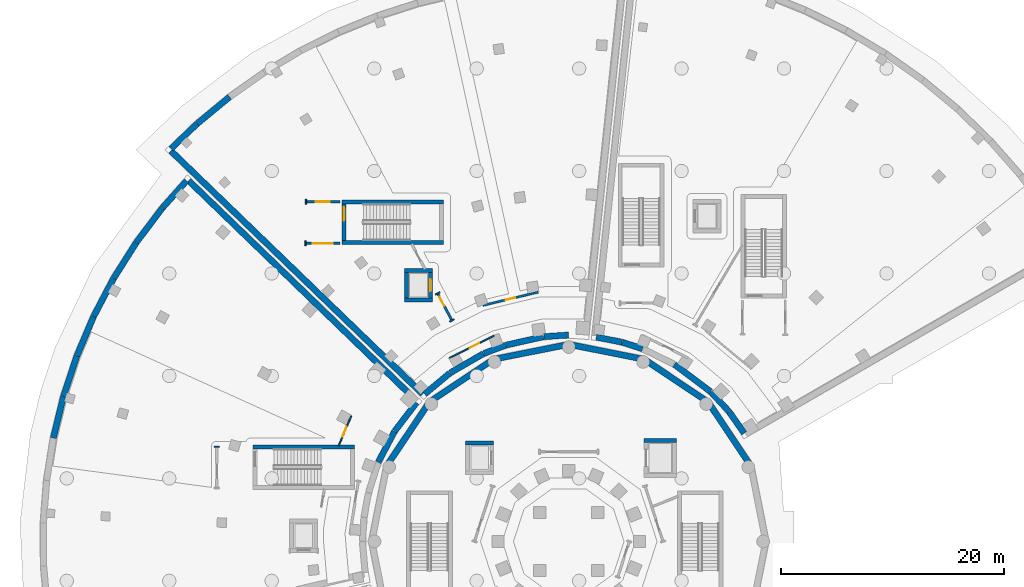
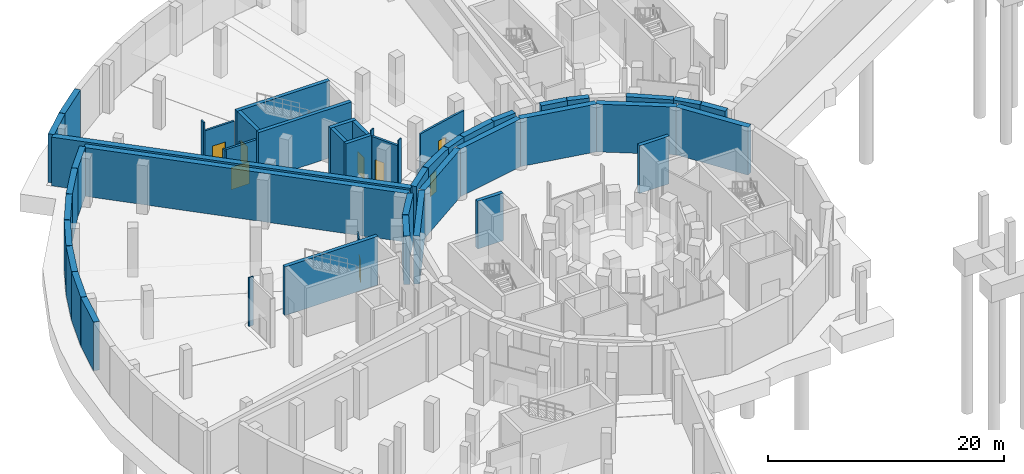
# One storey, part 13 of 33: 50 walls, 8 doors, 8 openings.
"""IFC4 building model written with IfcOpenShell, lengths in metres."""

from ifc_helpers import new_model, si_unit, direction, frame, frame_2d, origin, place, context, subcontext, project, spatial, rectangle, extrude, material, layer, layer_set, type_object, element, fill, save


model = new_model("IFC4")

# Units and contexts
model_context = context("Model", 3, precision=1e-05, world=origin(), true_north=direction((0.0, 1.0)))
body_context = subcontext(model_context, "Body", "Model", "MODEL_VIEW")
ifc_project = project(units=[si_unit("LENGTHUNIT", "METRE"), si_unit("AREAUNIT", "SQUARE_METRE"), si_unit("VOLUMEUNIT", "CUBIC_METRE"), si_unit("PLANEANGLEUNIT", "RADIAN"), si_unit("MASSUNIT", "GRAM", prefix="KILO")], contexts=[model_context])

# Site, building, storey
site_placement = place(None, origin())
site = spatial("IfcSite", under=ifc_project, at=site_placement, CompositionType="ELEMENT")
building_placement = place(site_placement, origin())
building = spatial("IfcBuilding", under=site, at=building_placement, Name="Soyqirgoq Riverine Aquarium", CompositionType="ELEMENT")
storey_placement = place(building_placement, frame((0.0, 0.0, -5.39990234375)))
storey = spatial("IfcBuildingStorey", under=building, at=storey_placement, Name="B01", CompositionType="ELEMENT", Elevation=-5.39990234375)

# Walls
ifc_material_1 = material(Name="Concrete C40/50", Category="concrete")
ifc_layer_1 = layer(ifc_material_1, 0.35009765625)
ifc_layer_set_1 = layer_set([ifc_layer_1], Name="Concrete C40/50")
wall_type_1 = type_object("IfcWallType", Name="CoreShearWall_350_C40", PredefinedType="SHEAR", material=ifc_layer_set_1)
wall_1_placement = place(storey_placement, frame((65.655029296875, 66.080078125, 0.0), z_axis=(0.0, 0.0, 1.0), x_axis=(-1.0, 0.0, 0.0)))
element("IfcWall", 1, at=wall_1_placement, inside=storey, type_object=wall_type_1, Name="Lift GL-1 Shaft Wall B01 3", PredefinedType="SHEAR", context=body_context, shape_type="SweptSolid", body=[
    extrude(rectangle(XDim=2.909912109375, YDim=0.35009765625, at=frame_2d((1.455078125, 0.0))), origin(), (0.0, 0.0, 1.0), 4.949951171875),
])
wall_2_placement = place(storey_placement, frame((49.2548828125, 65.830078125, 0.0), z_axis=(0.0, 0.0, 1.0), x_axis=(-1.0, 0.0, 0.0)))
element("IfcWall", 2, at=wall_2_placement, inside=storey, type_object=wall_type_1, Name="Lift PL-1 Shaft Wall B01 3", PredefinedType="SHEAR", context=body_context, shape_type="SweptSolid", body=[
    extrude(rectangle(XDim=2.509765625, YDim=0.35009765625, at=frame_2d((1.2548828125, 0.0))), origin(), (0.0, 0.0, 1.0), 4.949951171875),
])
for number, where, z_axis, x_axis, name in (
    (3, (36.75, 65.47509765625, 0.0), (0.0, 0.0, 1.0), (-1.0, 0.0, 0.0), "CORE-3 B01 Stair Core Shear Wall SIDE2"),
    (4, (35.64990234375, 83.824951171875, 0.0), (0.0, 0.0, 1.0), (1.0, 0.0, 0.0), "CORE-4 B01 Stair Core Shear Wall SIDE1"),
    (5, (44.75, 87.47509765625, 0.0), (0.0, 0.0, 1.0), (-1.0, 0.0, 0.0), "CORE-4 B01 Stair Core Shear Wall SIDE2"),
):
    element("IfcWall", number, at=place(storey_placement, frame(where, z_axis=z_axis, x_axis=x_axis)), inside=storey, type_object=wall_type_1, Name=name, PredefinedType="SHEAR", context=body_context, shape_type="SweptSolid", body=[
        extrude(rectangle(XDim=9.10009765625, YDim=0.35009765625, at=frame_2d((4.550048828125, 0.0))), origin(), (0.0, 0.0, 1.0), 5.0498046875),
    ])

# Wall, opening, door
wall_3_placement = place(storey_placement, frame((35.824951171875, 87.300048828125, 0.0), z_axis=(0.0, 0.0, 1.0), x_axis=(0.0, -1.0, 0.0)))
wall_3 = element("IfcWall", 6, at=wall_3_placement, inside=storey, type_object=wall_type_1, Name="CORE-4 B01 Stair Core Shear Wall FRONT", PredefinedType="SHEAR", context=body_context, shape_type="SweptSolid", body=[
    extrude(rectangle(XDim=3.300048828125, YDim=0.35009765625, at=frame_2d((1.64990234375, 0.0))), origin(), (0.0, 0.0, 1.0), 5.0498046875),
])
opening_1_placement = place(wall_3_placement, frame((0.280029296875, 0.0, 0.0)))
opening_1 = element("IfcOpeningElement", 7, at=opening_1_placement, cuts=wall_3, Name="Opening FD-01", PredefinedType="OPENING", context=body_context, shape_type="SweptSolid", body=[
    extrude(rectangle(XDim=1.25, YDim=2.199951171875, at=frame_2d((0.625, 1.10009765625))), frame((0.0, 0.18505859375, 0.0), z_axis=(0.0, -1.0, 0.0), x_axis=(1.0, 0.0, 0.0)), (0.0, 0.0, 1.0), 0.3701171875),
])
ifc_material_2 = material(Name="Galvanised steel fire-resisting stair door", Category="steel")
door_type_1 = type_object("IfcDoorType", Name="StairFireDoor_1250x2200_EI90", OperationType="NOTDEFINED", PredefinedType="DOOR", material=ifc_material_2)
door_1_placement = place(opening_1_placement, origin())
door_1 = element("IfcDoor", 8, at=door_1_placement, inside=storey, type_object=door_type_1, Name="DR-ST-4-B01 ST-4 B01 Fire-Rated Stairwell Door", OperationType="SINGLE_SWING_LEFT", OverallHeight=2.199951171875, OverallWidth=1.25, PredefinedType="DOOR", context=body_context, shape_type="SweptSolid", body=[
    extrude(rectangle(XDim=1.25, YDim=2.199951171875, at=frame_2d((0.625, 1.10009765625))), frame((0.0, 0.02490234375, 0.0), z_axis=(0.0, -1.0, 0.0), x_axis=(1.0, 0.0, 0.0)), (0.0, 0.0, 1.0), 0.050048828125),
])
fill(opening_1, door_1)

# Wall
wall_4_placement = place(storey_placement, frame((41.2451171875, 78.669921875, 0.0), z_axis=(0.0, 0.0, 1.0), x_axis=(1.0, 0.0, 0.0)))
element("IfcWall", 9, at=wall_4_placement, inside=storey, type_object=wall_type_1, Name="Lift PL-3 Shaft Wall B01 1", PredefinedType="SHEAR", context=body_context, shape_type="SweptSolid", body=[
    extrude(rectangle(XDim=2.509765625, YDim=0.35009765625, at=frame_2d((1.2548828125, 0.0))), origin(), (0.0, 0.0, 1.0), 5.0498046875),
])

# Wall, opening, door
wall_5_placement = place(storey_placement, frame((43.580078125, 78.844970703125, 0.0), z_axis=(0.0, 0.0, 1.0), x_axis=(0.0, 1.0, 0.0)))
wall_5 = element("IfcWall", 10, at=wall_5_placement, inside=storey, type_object=wall_type_1, Name="Lift PL-3 Shaft Wall B01 2", PredefinedType="SHEAR", context=body_context, shape_type="SweptSolid", body=[
    extrude(rectangle(XDim=2.31005859375, YDim=0.35009765625, at=frame_2d((1.155029296875, 0.0))), origin(), (0.0, 0.0, 1.0), 5.0498046875),
])
opening_2_placement = place(wall_5_placement, frame((0.60498046875, 0.0, 0.0)))
opening_2 = element("IfcOpeningElement", 11, at=opening_2_placement, cuts=wall_5, Name="Opening LD-01", PredefinedType="OPENING", context=body_context, shape_type="SweptSolid", body=[
    extrude(rectangle(XDim=1.10009765625, YDim=2.199951171875, at=frame_2d((0.550048828125, 1.10009765625))), frame((0.0, 0.18505859375, 0.0), z_axis=(0.0, -1.0, 0.0), x_axis=(1.0, 0.0, 0.0)), (0.0, 0.0, 1.0), 0.3701171875),
])
ifc_material_3 = material(Name="Brushed stainless steel telescopic lift landing door", Category="steel")
door_type_2 = type_object("IfcDoorType", Name="LiftLandingDoor_1100x2200", OperationType="SLIDING_TO_LEFT", PredefinedType="DOOR", material=ifc_material_3)
door_2_placement = place(opening_2_placement, origin())
door_2 = element("IfcDoor", 12, at=door_2_placement, inside=storey, type_object=door_type_2, Name="LD-PL-3-B01 Lift PL-3 B01 Sliding Landing Door", OperationType="SLIDING_TO_LEFT", OverallHeight=2.199951171875, OverallWidth=1.10009765625, PredefinedType="DOOR", context=body_context, shape_type="SweptSolid", body=[
    extrude(rectangle(XDim=1.10009765625, YDim=2.199951171875, at=frame_2d((0.550048828125, 1.10009765625))), frame((0.0, 0.02490234375, 0.0), z_axis=(0.0, -1.0, 0.0), x_axis=(1.0, 0.0, 0.0)), (0.0, 0.0, 1.0), 0.050048828125),
])
fill(opening_2, door_2)

# Walls
wall_6_placement = place(storey_placement, frame((43.7548828125, 81.330078125, 0.0), z_axis=(0.0, 0.0, 1.0), x_axis=(-1.0, 0.0, 0.0)))
element("IfcWall", 13, at=wall_6_placement, inside=storey, type_object=wall_type_1, Name="Lift PL-3 Shaft Wall B01 3", PredefinedType="SHEAR", context=body_context, shape_type="SweptSolid", body=[
    extrude(rectangle(XDim=2.509765625, YDim=0.35009765625, at=frame_2d((1.2548828125, 0.0))), origin(), (0.0, 0.0, 1.0), 5.0498046875),
])
wall_7_placement = place(storey_placement, frame((41.419921875, 81.155029296875, 0.0), z_axis=(0.0, 0.0, 1.0), x_axis=(0.0, -1.0, 0.0)))
element("IfcWall", 14, at=wall_7_placement, inside=storey, type_object=wall_type_1, Name="Lift PL-3 Shaft Wall B01 4", PredefinedType="SHEAR", context=body_context, shape_type="SweptSolid", body=[
    extrude(rectangle(XDim=2.31005859375, YDim=0.35009765625, at=frame_2d((1.155029296875, 0.0))), origin(), (0.0, 0.0, 1.0), 5.0498046875),
])

# Wall, opening, door
ifc_material_4 = material(Name="Lightweight steel-stud gypsum partition", Category="steel")
ifc_layer_2 = layer(ifc_material_4, 0.1201171875)
ifc_layer_set_2 = layer_set([ifc_layer_2], Name="Lightweight steel-stud gypsum partition")
wall_type_2 = type_object("IfcWallType", Name="PartitionWall_120_Std", PredefinedType="PARTITIONING", material=ifc_layer_set_2)
wall_8_placement = place(storey_placement, frame((36.47119140625, 68.27490234375, 0.0), z_axis=(0.0, 0.0, 1.0), x_axis=(-0.39080089657, -0.920475235539, 0.0)))
wall_8 = element("IfcWall", 15, at=wall_8_placement, inside=storey, type_object=wall_type_2, Name="V3 Gallery Circulation Corridor Partition Wall", PredefinedType="PARTITIONING", context=body_context, shape_type="SweptSolid", body=[
    extrude(rectangle(XDim=2.921875, YDim=0.1201171875, at=frame_2d((1.4609375, 0.0))), origin(), (0.0, 0.0, 1.0), 3.83984375),
])
opening_3_placement = place(wall_8_placement, frame((1.094970703125, 0.0, 0.0)))
opening_3 = element("IfcOpeningElement", 16, at=opening_3_placement, cuts=wall_8, Name="Opening ID-06", PredefinedType="OPENING", context=body_context, shape_type="SweptSolid", body=[
    extrude(rectangle(XDim=0.949951171875, YDim=2.199951171875, at=frame_2d((0.47509765625, 1.10009765625))), frame((0.0, 0.070068359375, 0.0), z_axis=(0.0, -1.0, 0.0), x_axis=(1.0, 0.0, 0.0)), (0.0, 0.0, 1.0), 0.14013671875),
])
ifc_material_5 = material(Name="Moisture-resistant HPL washroom door", Category="wood")
door_type_3 = type_object("IfcDoorType", Name="WCDoor_950x2200", OperationType="NOTDEFINED", PredefinedType="DOOR", material=ifc_material_5)
door_3_placement = place(opening_3_placement, origin())
door_3 = element("IfcDoor", 17, at=door_3_placement, inside=storey, type_object=door_type_3, Name="IDR-V3-B01-0091 Ichthyology Specimen Library Access Door", OperationType="SINGLE_SWING_LEFT", OverallHeight=2.199951171875, OverallWidth=0.949951171875, PredefinedType="DOOR", context=body_context, shape_type="SweptSolid", body=[
    extrude(rectangle(XDim=0.949951171875, YDim=2.199951171875, at=frame_2d((0.47509765625, 1.10009765625))), frame((0.0, 0.02490234375, 0.0), z_axis=(0.0, -1.0, 0.0), x_axis=(1.0, 0.0, 0.0)), (0.0, 0.0, 1.0), 0.050048828125),
])
fill(opening_3, door_3)

# Wall
wall_9_placement = place(storey_placement, frame((24.179931640625, 65.5, 0.0), z_axis=(0.0, 0.0, 1.0), x_axis=(1.0, 0.0, 0.0)))
element("IfcWall", 18, at=wall_9_placement, inside=storey, type_object=wall_type_2, Name="V3 B01 Jamb Return Pier", PredefinedType="PARTITIONING", context=body_context, shape_type="SweptSolid", body=[
    extrude(rectangle(XDim=0.440185546875, YDim=0.1201171875, at=frame_2d((0.22021484375, 0.0))), origin(), (0.0, 0.0, 1.0), 5.0498046875),
])

# Wall, opening, door
wall_10_placement = place(storey_placement, frame((45.2978515625, 73.47998046875, 0.0), z_axis=(0.0, 0.0, 1.0), x_axis=(0.894931487964, 0.446203576689, 0.0)))
wall_10 = element("IfcWall", 19, at=wall_10_placement, inside=storey, type_object=wall_type_2, Name="V4 Gallery Circulation Corridor Partition Wall", PredefinedType="PARTITIONING", context=body_context, shape_type="SweptSolid", body=[
    extrude(rectangle(XDim=4.448974609375, YDim=0.1201171875, at=frame_2d((2.224609375, 0.0))), origin(), (0.0, 0.0, 1.0), 3.93994140625),
])
opening_4_placement = place(wall_10_placement, frame((2.029296875, 0.0, 0.0)))
opening_4 = element("IfcOpeningElement", 20, at=opening_4_placement, cuts=wall_10, Name="Opening ID-06", PredefinedType="OPENING", context=body_context, shape_type="SweptSolid", body=[
    extrude(rectangle(XDim=0.949951171875, YDim=2.199951171875, at=frame_2d((0.47509765625, 1.10009765625))), frame((0.0, 0.070068359375, 0.0), z_axis=(0.0, -1.0, 0.0), x_axis=(1.0, 0.0, 0.0)), (0.0, 0.0, 1.0), 0.14013671875),
])
door_4_placement = place(opening_4_placement, origin())
door_4 = element("IfcDoor", 21, at=door_4_placement, inside=storey, type_object=door_type_3, Name="IDR-V4-B01-0105 Marine Salt Mixing Room Door", OperationType="SINGLE_SWING_RIGHT", OverallHeight=2.199951171875, OverallWidth=0.949951171875, PredefinedType="DOOR", context=body_context, shape_type="SweptSolid", body=[
    extrude(rectangle(XDim=0.949951171875, YDim=2.199951171875, at=frame_2d((0.47509765625, 1.10009765625))), frame((0.0, 0.02490234375, 0.0), z_axis=(0.0, -1.0, 0.0), x_axis=(1.0, 0.0, 0.0)), (0.0, 0.0, 1.0), 0.050048828125),
])
fill(opening_4, door_4)

# Walls
for number, where, z_axis, x_axis, name in (
    (22, (32.39990234375, 87.719970703125, 0.0), (0.0, 0.0, 1.0), (0.0, -1.0, 0.0), "V4 B01 Jamb Return Pier"),
    (23, (45.703857421875, 76.9404296875, 0.0), (0.0, 0.0, 1.0), (-0.885603350985, -0.464442358881, 0.0), "V4 B01 Jamb Return Pier"),
):
    element("IfcWall", number, at=place(storey_placement, frame(where, z_axis=z_axis, x_axis=x_axis)), inside=storey, type_object=wall_type_2, Name=name, PredefinedType="PARTITIONING", context=body_context, shape_type="SweptSolid", body=[
        extrude(rectangle(XDim=0.43994140625, YDim=0.1201171875, at=frame_2d((0.219970703125, 0.0))), origin(), (0.0, 0.0, 1.0), 5.0498046875),
    ])
wall_11_placement = place(storey_placement, frame((44.423583984375, 79.382080078125, 0.0), z_axis=(0.0, 0.0, 1.0), x_axis=(-0.885483569357, -0.46467068812, 0.0)))
element("IfcWall", 24, at=wall_11_placement, inside=storey, type_object=wall_type_2, Name="V4 B01 Jamb Return Pier", PredefinedType="PARTITIONING", context=body_context, shape_type="SweptSolid", body=[
    extrude(rectangle(XDim=0.439697265625, YDim=0.1201171875, at=frame_2d((0.2197265625, 0.0))), origin(), (0.0, 0.0, 1.0), 5.0498046875),
])
wall_12_placement = place(storey_placement, frame((32.360107421875, 83.97998046875, 0.0), z_axis=(0.0, 0.0, 1.0), x_axis=(0.0, -1.0, 0.0)))
element("IfcWall", 25, at=wall_12_placement, inside=storey, type_object=wall_type_2, Name="V4 B01 Jamb Return Pier", PredefinedType="PARTITIONING", context=body_context, shape_type="SweptSolid", body=[
    extrude(rectangle(XDim=0.43994140625, YDim=0.1201171875, at=frame_2d((0.219970703125, 0.0))), origin(), (0.0, 0.0, 1.0), 4.389892578125),
])

# Wall, opening, door
ifc_material_6 = material(Name="Fire-rated calcium silicate twin-stud partition", Category="gypsum")
ifc_layer_3 = layer(ifc_material_6, 0.199951171875)
ifc_layer_set_3 = layer_set([ifc_layer_3], Name="Fire-rated calcium silicate twin-stud partition")
wall_type_3 = type_object("IfcWallType", Name="PartitionWall_200_EI90", PredefinedType="PARTITIONING", material=ifc_layer_set_3)
wall_13_placement = place(storey_placement, frame((35.449951171875, 87.5, 0.0), z_axis=(0.0, 0.0, 1.0), x_axis=(-1.0, 0.0, 0.0)))
wall_13 = element("IfcWall", 26, at=wall_13_placement, inside=storey, type_object=wall_type_3, Name="Lift and Stair Lobby ST-4 Fire Enclosure Wall", PredefinedType="PARTITIONING", context=body_context, shape_type="SweptSolid", body=[
    extrude(rectangle(XDim=3.050048828125, YDim=0.199951171875, at=frame_2d((1.52490234375, 0.0))), origin(), (0.0, 0.0, 1.0), 4.039794921875),
])
opening_5_placement = place(wall_13_placement, frame((0.89990234375, 0.0, 0.0)))
opening_5 = element("IfcOpeningElement", 27, at=opening_5_placement, cuts=wall_13, Name="Opening FD-01", PredefinedType="OPENING", context=body_context, shape_type="SweptSolid", body=[
    extrude(rectangle(XDim=1.25, YDim=2.199951171875, at=frame_2d((0.625, 1.10009765625))), frame((0.0, 0.10986328125, 0.0), z_axis=(0.0, -1.0, 0.0), x_axis=(1.0, 0.0, 0.0)), (0.0, 0.0, 1.0), 0.219970703125),
])
door_5_placement = place(opening_5_placement, origin())
door_5 = element("IfcDoor", 28, at=door_5_placement, inside=storey, type_object=door_type_1, Name="IDR-V4-B01-0103 Lift and Stair Lobby ST-4 Egress Fire Door", OperationType="SINGLE_SWING_LEFT", OverallHeight=2.199951171875, OverallWidth=1.25, PredefinedType="DOOR", context=body_context, shape_type="SweptSolid", body=[
    extrude(rectangle(XDim=1.25, YDim=2.199951171875, at=frame_2d((0.625, 1.10009765625))), frame((0.0, 0.02490234375, 0.0), z_axis=(0.0, -1.0, 0.0), x_axis=(1.0, 0.0, 0.0)), (0.0, 0.0, 1.0), 0.050048828125),
])
fill(opening_5, door_5)

wall_14_placement = place(storey_placement, frame((53.251708984375, 79.3818359375, 0.0), z_axis=(0.0, 0.0, 1.0), x_axis=(-0.972378185718, -0.233410933633, 0.0)))
wall_14 = element("IfcWall", 29, at=wall_14_placement, inside=storey, type_object=wall_type_3, Name="V4 Gallery Circulation Corridor Partition Wall", PredefinedType="PARTITIONING", context=body_context, shape_type="SweptSolid", body=[
    extrude(rectangle(XDim=5.10546875, YDim=0.199951171875, at=frame_2d((2.552734375, 0.0))), origin(), (0.0, 0.0, 1.0), 3.83984375),
])
opening_6_placement = place(wall_14_placement, frame((2.102783203125, 0.0, 0.0)))
opening_6 = element("IfcOpeningElement", 30, at=opening_6_placement, cuts=wall_14, Name="Opening RD-01", PredefinedType="OPENING", context=body_context, shape_type="SweptSolid", body=[
    extrude(rectangle(XDim=0.89990234375, YDim=2.10009765625, at=frame_2d((0.449951171875, 1.050048828125))), frame((0.0, 0.10986328125, 0.0), z_axis=(0.0, -1.0, 0.0), x_axis=(1.0, 0.0, 0.0)), (0.0, 0.0, 1.0), 0.219970703125),
])
ifc_material_7 = material(Name="Flush steel service riser fire door", Category="steel")
door_type_4 = type_object("IfcDoorType", Name="RiserAccessDoor_900x2100_EI60", OperationType="NOTDEFINED", PredefinedType="DOOR", material=ifc_material_7)
door_6_placement = place(opening_6_placement, origin())
door_6 = element("IfcDoor", 31, at=door_6_placement, inside=storey, type_object=door_type_4, Name="IDR-V4-B01-0104 Tropical Reef Filtration Plant Door", OperationType="SINGLE_SWING_LEFT", OverallHeight=2.10009765625, OverallWidth=0.89990234375, PredefinedType="DOOR", context=body_context, shape_type="SweptSolid", body=[
    extrude(rectangle(XDim=0.89990234375, YDim=2.10009765625, at=frame_2d((0.449951171875, 1.050048828125))), frame((0.0, 0.02490234375, 0.0), z_axis=(0.0, -1.0, 0.0), x_axis=(1.0, 0.0, 0.0)), (0.0, 0.0, 1.0), 0.050048828125),
])
fill(opening_6, door_6)

# Walls
ifc_material_8 = material(Name="Concrete C35/45", Category="concrete")
ifc_layer_4 = layer(ifc_material_8, 0.550048828125)
ifc_layer_set_4 = layer_set([ifc_layer_4], Name="Concrete C35/45")
wall_type_4 = type_object("IfcWallType", Name="RetainingWall_550_C35", PredefinedType="USERDEFINED", material=ifc_layer_set_4)
for number, where, z_axis, x_axis, name in (
    (32, (39.66796875, 63.7939453125, 0.0), (0.0, 0.0, 1.0), (0.555571837096, 0.831468540491, 0.0), "V1 B01 Perimeter Retaining Wall 010"),
    (33, (43.51123046875, 69.52685546875, 0.0), (0.0, 0.0, 1.0), (0.831468540491, 0.555571837096, 0.0), "V1 B01 Perimeter Retaining Wall 011"),
    (34, (49.255615234375, 73.3525390625, 0.0), (0.0, 0.0, 1.0), (0.980785783672, 0.195087791897, 0.0), "V1 B01 Perimeter Retaining Wall 012"),
    (35, (56.02685546875, 74.688720703125, 0.0), (0.0, 0.0, 1.0), (0.980785783672, -0.195087791897, 0.0), "V1 B01 Perimeter Retaining Wall 013"),
    (36, (62.7939453125, 73.33203125, 0.0), (0.0, 0.0, 1.0), (0.831468540491, -0.555571837096, 0.0), "V1 B01 Perimeter Retaining Wall 014"),
    (37, (68.52685546875, 69.48876953125, 0.0), (0.0, 0.0, 1.0), (0.555571837096, -0.831468540491, 0.0), "V1 B01 Perimeter Retaining Wall 015"),
):
    element("IfcWall", number, at=place(storey_placement, frame(where, z_axis=z_axis, x_axis=x_axis)), inside=storey, type_object=wall_type_4, Name=name, ObjectType="RETAININGWALL", PredefinedType="USERDEFINED", context=body_context, shape_type="SweptSolid", body=[
        extrude(rectangle(XDim=6.84912109375, YDim=0.550048828125, at=frame_2d((3.424560546875, 0.0))), origin(), (0.0, 0.0, 1.0), 4.949951171875),
    ])
wall_15_placement = place(storey_placement, frame((40.353515625, 66.876708984375, 0.0), z_axis=(0.0, 0.0, 1.0), x_axis=(-0.467496549765, -0.883994895889, 0.0)))
element("IfcWall", 38, at=wall_15_placement, inside=storey, type_object=wall_type_4, Name="V3 B01 Perimeter Retaining Wall 041", ObjectType="RETAININGWALL", PredefinedType="USERDEFINED", context=body_context, shape_type="SweptSolid", body=[
    extrude(rectangle(XDim=3.1259765625, YDim=0.550048828125, at=frame_2d((1.56298828125, 0.0))), origin(), (0.0, 0.0, 1.0), 5.0498046875),
])
wall_16_placement = place(storey_placement, frame((9.72314453125, 66.286376953125, 0.0), z_axis=(0.0, 0.0, 1.0), x_axis=(0.236336905968, 0.971671172196, 0.0)))
element("IfcWall", 39, at=wall_16_placement, inside=storey, type_object=wall_type_4, Name="V3 B01 Perimeter Retaining Wall 052", ObjectType="RETAININGWALL", PredefinedType="USERDEFINED", context=body_context, shape_type="SweptSolid", body=[
    extrude(rectangle(XDim=3.821044921875, YDim=0.550048828125, at=frame_2d((1.91064453125, 0.0))), origin(), (0.0, 0.0, 1.0), 5.0498046875),
])
wall_17_placement = place(storey_placement, frame((10.632080078125, 70.020751953125, 0.0), z_axis=(0.0, 0.0, 1.0), x_axis=(0.31455959401, 0.949237726714, 0.0)))
element("IfcWall", 40, at=wall_17_placement, inside=storey, type_object=wall_type_4, Name="V3 B01 Perimeter Retaining Wall 053", ObjectType="RETAININGWALL", PredefinedType="USERDEFINED", context=body_context, shape_type="SweptSolid", body=[
    extrude(rectangle(XDim=3.82080078125, YDim=0.550048828125, at=frame_2d((1.910400390625, 0.0))), origin(), (0.0, 0.0, 1.0), 5.0498046875),
])
for number, where, z_axis, x_axis, name in (
    (41, (11.841796875, 73.66845703125, 0.0), (0.0, 0.0, 1.0), (0.390763141001, 0.92049126429, 0.0), "V3 B01 Perimeter Retaining Wall 054"),
    (42, (13.344482421875, 77.205810546875, 0.0), (0.0, 0.0, 1.0), (0.464305397711, 0.885675164864, 0.0), "V3 B01 Perimeter Retaining Wall 055"),
):
    element("IfcWall", number, at=place(storey_placement, frame(where, z_axis=z_axis, x_axis=x_axis)), inside=storey, type_object=wall_type_4, Name=name, ObjectType="RETAININGWALL", PredefinedType="USERDEFINED", context=body_context, shape_type="SweptSolid", body=[
        extrude(rectangle(XDim=3.821044921875, YDim=0.550048828125, at=frame_2d((1.91064453125, 0.0))), origin(), (0.0, 0.0, 1.0), 5.0498046875),
    ])
wall_18_placement = place(storey_placement, frame((15.1298828125, 80.609375, 0.0), z_axis=(0.0, 0.0, 1.0), x_axis=(0.534814917918, 0.844969232323, 0.0)))
element("IfcWall", 43, at=wall_18_placement, inside=storey, type_object=wall_type_4, Name="V3 B01 Perimeter Retaining Wall 056", ObjectType="RETAININGWALL", PredefinedType="USERDEFINED", context=body_context, shape_type="SweptSolid", body=[
    extrude(rectangle(XDim=3.82080078125, YDim=0.550048828125, at=frame_2d((1.910400390625, 0.0))), origin(), (0.0, 0.0, 1.0), 5.0498046875),
])
wall_19_placement = place(storey_placement, frame((17.18603515625, 83.856201171875, 0.0), z_axis=(0.0, 0.0, 1.0), x_axis=(0.601828387278, 0.798625439281, 0.0)))
element("IfcWall", 44, at=wall_19_placement, inside=storey, type_object=wall_type_4, Name="V3 B01 Perimeter Retaining Wall 057", ObjectType="RETAININGWALL", PredefinedType="USERDEFINED", context=body_context, shape_type="SweptSolid", body=[
    extrude(rectangle(XDim=3.821044921875, YDim=0.550048828125, at=frame_2d((1.91064453125, 0.0))), origin(), (0.0, 0.0, 1.0), 5.0498046875),
])
wall_20_placement = place(storey_placement, frame((19.499755859375, 86.925048828125, 0.0), z_axis=(0.0, 0.0, 1.0), x_axis=(0.664802060675, 0.747019558059, 0.0)))
element("IfcWall", 45, at=wall_20_placement, inside=storey, type_object=wall_type_4, Name="V3 B01 Perimeter Retaining Wall 058", ObjectType="RETAININGWALL", PredefinedType="USERDEFINED", context=body_context, shape_type="SweptSolid", body=[
    extrude(rectangle(XDim=3.2841796875, YDim=0.550048828125, at=frame_2d((1.64208984375, 0.0))), origin(), (0.0, 0.0, 1.0), 5.0498046875),
])
wall_21_placement = place(storey_placement, frame((21.87353515625, 89.385498046875, 0.0), z_axis=(0.0, 0.0, 1.0), x_axis=(0.719343876537, -0.694654149408, 0.0)))
element("IfcWall", 46, at=wall_21_placement, inside=storey, type_object=wall_type_4, Name="V3 B01 Perimeter Retaining Wall 059", ObjectType="RETAININGWALL", PredefinedType="USERDEFINED", context=body_context, shape_type="SweptSolid", body=[
    extrude(rectangle(XDim=28.419189453125, YDim=0.550048828125, at=frame_2d((14.20947265625, 0.0))), origin(), (0.0, 0.0, 1.0), 5.0498046875),
])
wall_22_placement = place(storey_placement, frame((42.330078125, 69.46142578125, 0.0), z_axis=(0.0, 0.0, 1.0), x_axis=(-0.608393196911, -0.793635758993, 0.0)))
element("IfcWall", 47, at=wall_22_placement, inside=storey, type_object=wall_type_4, Name="V3 B01 Perimeter Retaining Wall 060", ObjectType="RETAININGWALL", PredefinedType="USERDEFINED", context=body_context, shape_type="SweptSolid", body=[
    extrude(rectangle(XDim=3.2080078125, YDim=0.550048828125, at=frame_2d((1.60400390625, 0.0))), origin(), (0.0, 0.0, 1.0), 5.0498046875),
])
wall_23_placement = place(storey_placement, frame((42.882080078125, 70.23779296875, 0.0), z_axis=(0.0, 0.0, 1.0), x_axis=(-0.719340261239, 0.694657893182, 0.0)))
element("IfcWall", 48, at=wall_23_placement, inside=storey, type_object=wall_type_4, Name="V4 B01 Perimeter Retaining Wall 061", ObjectType="RETAININGWALL", PredefinedType="USERDEFINED", context=body_context, shape_type="SweptSolid", body=[
    extrude(rectangle(XDim=31.414794921875, YDim=0.550048828125, at=frame_2d((15.70751953125, 0.0))), origin(), (0.0, 0.0, 1.0), 5.0498046875),
])
wall_24_placement = place(storey_placement, frame((20.284423828125, 92.251220703125, 0.0), z_axis=(0.0, 0.0, 1.0), x_axis=(0.721363209782, 0.692556943199, 0.0)))
element("IfcWall", 49, at=wall_24_placement, inside=storey, type_object=wall_type_4, Name="V4 B01 Perimeter Retaining Wall 062", ObjectType="RETAININGWALL", PredefinedType="USERDEFINED", context=body_context, shape_type="SweptSolid", body=[
    extrude(rectangle(XDim=3.237548828125, YDim=0.550048828125, at=frame_2d((1.61865234375, 0.0))), origin(), (0.0, 0.0, 1.0), 5.0498046875),
])
wall_25_placement = place(storey_placement, frame((22.635498046875, 94.507080078125, 0.0), z_axis=(0.0, 0.0, 1.0), x_axis=(0.77160341192, 0.636103902451, 0.0)))
element("IfcWall", 50, at=wall_25_placement, inside=storey, type_object=wall_type_4, Name="V4 B01 Perimeter Retaining Wall 063", ObjectType="RETAININGWALL", PredefinedType="USERDEFINED", context=body_context, shape_type="SweptSolid", body=[
    extrude(rectangle(XDim=3.774658203125, YDim=0.550048828125, at=frame_2d((1.88720703125, 0.0))), origin(), (0.0, 0.0, 1.0), 5.0498046875),
])
wall_26_placement = place(storey_placement, frame((55.9833984375, 75.529052734375, 0.0), z_axis=(0.0, 0.0, 1.0), x_axis=(-0.99785694905, -0.065433242561, 0.0)))
element("IfcWall", 51, at=wall_26_placement, inside=storey, type_object=wall_type_4, Name="V4 B01 Perimeter Retaining Wall 075", ObjectType="RETAININGWALL", PredefinedType="USERDEFINED", context=body_context, shape_type="SweptSolid", body=[
    extrude(rectangle(XDim=2.223876953125, YDim=0.550048828125, at=frame_2d((1.11181640625, 0.0))), origin(), (0.0, 0.0, 1.0), 5.0498046875),
])
wall_27_placement = place(storey_placement, frame((53.721923828125, 75.37744140625, 0.0), z_axis=(0.0, 0.0, 1.0), x_axis=(-0.975796338382, -0.218681288639, 0.0)))
element("IfcWall", 52, at=wall_27_placement, inside=storey, type_object=wall_type_4, Name="V4 B01 Perimeter Retaining Wall 076", ObjectType="RETAININGWALL", PredefinedType="USERDEFINED", context=body_context, shape_type="SweptSolid", body=[
    extrude(rectangle(XDim=3.4541015625, YDim=0.550048828125, at=frame_2d((1.72705078125, 0.0))), origin(), (0.0, 0.0, 1.0), 5.0498046875),
])
wall_28_placement = place(storey_placement, frame((50.314208984375, 74.61083984375, 0.0), z_axis=(0.0, 0.0, 1.0), x_axis=(-0.935315973457, -0.353813552308, 0.0)))
element("IfcWall", 53, at=wall_28_placement, inside=storey, type_object=wall_type_4, Name="V4 B01 Perimeter Retaining Wall 077", ObjectType="RETAININGWALL", PredefinedType="USERDEFINED", context=body_context, shape_type="SweptSolid", body=[
    extrude(rectangle(XDim=2.0576171875, YDim=0.550048828125, at=frame_2d((1.02880859375, 0.0))), origin(), (0.0, 0.0, 1.0), 5.0498046875),
])
wall_29_placement = place(storey_placement, frame((48.349609375, 73.864013671875, 0.0), z_axis=(0.0, 0.0, 1.0), x_axis=(-0.866293967887, -0.499534544554, 0.0)))
element("IfcWall", 54, at=wall_29_placement, inside=storey, type_object=wall_type_4, Name="V4 B01 Perimeter Retaining Wall 078", ObjectType="RETAININGWALL", PredefinedType="USERDEFINED", context=body_context, shape_type="SweptSolid", body=[
    extrude(rectangle(XDim=3.449462890625, YDim=0.550048828125, at=frame_2d((1.724609375, 0.0))), origin(), (0.0, 0.0, 1.0), 5.0498046875),
])
wall_30_placement = place(storey_placement, frame((45.322509765625, 72.114013671875, 0.0), z_axis=(0.0, 0.0, 1.0), x_axis=(-0.767867108001, -0.640609166692, 0.0)))
element("IfcWall", 55, at=wall_30_placement, inside=storey, type_object=wall_type_4, Name="V4 B01 Perimeter Retaining Wall 079", ObjectType="RETAININGWALL", PredefinedType="USERDEFINED", context=body_context, shape_type="SweptSolid", body=[
    extrude(rectangle(XDim=2.939208984375, YDim=0.550048828125, at=frame_2d((1.4697265625, 0.0))), origin(), (0.0, 0.0, 1.0), 5.0498046875),
])
wall_31_placement = place(storey_placement, frame((70.3798828125, 68.669189453125, 0.0), z_axis=(0.0, 0.0, 1.0), x_axis=(-0.679221742171, 0.733933120224, 0.0)))
element("IfcWall", 56, at=wall_31_placement, inside=storey, type_object=wall_type_4, Name="V5 B01 Perimeter Retaining Wall 080", ObjectType="RETAININGWALL", PredefinedType="USERDEFINED", context=body_context, shape_type="SweptSolid", body=[
    extrude(rectangle(XDim=2.37841796875, YDim=0.550048828125, at=frame_2d((1.189208984375, 0.0))), origin(), (0.0, 0.0, 1.0), 5.0498046875),
])
wall_32_placement = place(storey_placement, frame((68.727783203125, 70.44775390625, 0.0), z_axis=(0.0, 0.0, 1.0), x_axis=(-0.799169460044, 0.601105792796, 0.0)))
element("IfcWall", 57, at=wall_32_placement, inside=storey, type_object=wall_type_4, Name="V5 B01 Perimeter Retaining Wall 081", ObjectType="RETAININGWALL", PredefinedType="USERDEFINED", context=body_context, shape_type="SweptSolid", body=[
    extrude(rectangle(XDim=4.060302734375, YDim=0.550048828125, at=frame_2d((2.0302734375, 0.0))), origin(), (0.0, 0.0, 1.0), 5.0498046875),
])
wall_33_placement = place(storey_placement, frame((62.6181640625, 74.294677734375, 0.0), z_axis=(0.0, 0.0, 1.0), x_axis=(-0.950817810476, 0.30975069214, 0.0)))
element("IfcWall", 58, at=wall_33_placement, inside=storey, type_object=wall_type_4, Name="V5 B01 Perimeter Retaining Wall 083", ObjectType="RETAININGWALL", PredefinedType="USERDEFINED", context=body_context, shape_type="SweptSolid", body=[
    extrude(rectangle(XDim=1.90185546875, YDim=0.550048828125, at=frame_2d((0.950927734375, 0.0))), origin(), (0.0, 0.0, 1.0), 5.0498046875),
])
wall_34_placement = place(storey_placement, frame((60.776611328125, 74.892333984375, 0.0), z_axis=(0.0, 0.0, 1.0), x_axis=(-0.9820449134, 0.188647258301, 0.0)))
element("IfcWall", 59, at=wall_34_placement, inside=storey, type_object=wall_type_4, Name="V5 B01 Perimeter Retaining Wall 084", ObjectType="RETAININGWALL", PredefinedType="USERDEFINED", context=body_context, shape_type="SweptSolid", body=[
    extrude(rectangle(XDim=2.352783203125, YDim=0.550048828125, at=frame_2d((1.17626953125, 0.0))), origin(), (0.0, 0.0, 1.0), 5.0498046875),
])
wall_35_placement = place(storey_placement, frame((71.747802734375, 66.710693359375, 0.0), z_axis=(0.0, 0.0, 1.0), x_axis=(-0.571669812013, 0.820483775606, 0.0)))
element("IfcWall", 60, at=wall_35_placement, inside=storey, type_object=wall_type_4, Name="V5 B01 Perimeter Retaining Wall 099", ObjectType="RETAININGWALL", PredefinedType="USERDEFINED", context=body_context, shape_type="SweptSolid", body=[
    extrude(rectangle(XDim=2.35107421875, YDim=0.550048828125, at=frame_2d((1.175537109375, 0.0))), origin(), (0.0, 0.0, 1.0), 5.0498046875),
])

# Wall, opening, door
ifc_material_9 = material(Name="Fire-rated masonry shaft wall", Category="masonry")
ifc_layer_5 = layer(ifc_material_9, 0.219970703125)
ifc_layer_set_5 = layer_set([ifc_layer_5], Name="Fire-rated masonry shaft wall")
wall_type_5 = type_object("IfcWallType", Name="RiserShaftWall_220_EI120", PredefinedType="SOLIDWALL", material=ifc_layer_set_5)
wall_36_placement = place(storey_placement, frame((45.509033203125, 76.83837890625, 0.0), z_axis=(0.0, 0.0, 1.0), x_axis=(-0.464311406278, 0.885672014913, 0.0)))
wall_36 = element("IfcWall", 61, at=wall_36_placement, inside=storey, type_object=wall_type_5, Name="Tropical Reef Filtration Plant Partition Wall", PredefinedType="SOLIDWALL", context=body_context, shape_type="SweptSolid", body=[
    extrude(rectangle(XDim=2.7568359375, YDim=0.219970703125, at=frame_2d((1.37841796875, 0.0))), origin(), (0.0, 0.0, 1.0), 4.389892578125),
])
opening_7_placement = place(wall_36_placement, frame((1.485595703125, 0.0, 0.0)))
opening_7 = element("IfcOpeningElement", 62, at=opening_7_placement, cuts=wall_36, Name="Opening RD-01", PredefinedType="OPENING", context=body_context, shape_type="SweptSolid", body=[
    extrude(rectangle(XDim=0.89990234375, YDim=2.10009765625, at=frame_2d((0.449951171875, 1.050048828125))), frame((0.0, 0.1201171875, 0.0), z_axis=(0.0, -1.0, 0.0), x_axis=(1.0, 0.0, 0.0)), (0.0, 0.0, 1.0), 0.239990234375),
])
door_7_placement = place(opening_7_placement, origin())
door_7 = element("IfcDoor", 63, at=door_7_placement, inside=storey, type_object=door_type_4, Name="IDR-V4-B01-0106 Coral Culture Wet Laboratory Door", OperationType="SINGLE_SWING_LEFT", OverallHeight=2.10009765625, OverallWidth=0.89990234375, PredefinedType="DOOR", context=body_context, shape_type="SweptSolid", body=[
    extrude(rectangle(XDim=0.89990234375, YDim=2.10009765625, at=frame_2d((0.449951171875, 1.050048828125))), frame((0.0, 0.02490234375, 0.0), z_axis=(0.0, -1.0, 0.0), x_axis=(1.0, 0.0, 0.0)), (0.0, 0.0, 1.0), 0.050048828125),
])
fill(opening_7, door_7)

wall_37_placement = place(storey_placement, frame((35.449951171875, 83.760009765625, 0.0), z_axis=(0.0, 0.0, 1.0), x_axis=(-1.0, 0.0, 0.0)))
wall_37 = element("IfcWall", 64, at=wall_37_placement, inside=storey, type_object=wall_type_5, Name="Tropical Reef Filtration Plant Partition Wall", PredefinedType="SOLIDWALL", context=body_context, shape_type="SweptSolid", body=[
    extrude(rectangle(XDim=3.08984375, YDim=0.219970703125, at=frame_2d((1.544921875, 0.0))), origin(), (0.0, 0.0, 1.0), 4.389892578125),
])
opening_8_placement = place(wall_37_placement, frame((0.64501953125, 0.0, 0.0)))
opening_8 = element("IfcOpeningElement", 65, at=opening_8_placement, cuts=wall_37, Name="Opening PD-01", PredefinedType="OPENING", context=body_context, shape_type="SweptSolid", body=[
    extrude(rectangle(XDim=1.800048828125, YDim=2.300048828125, at=frame_2d((0.89990234375, 1.14990234375))), frame((0.0, 0.1201171875, 0.0), z_axis=(0.0, -1.0, 0.0), x_axis=(1.0, 0.0, 0.0)), (0.0, 0.0, 1.0), 0.239990234375),
])
ifc_material_10 = material(Name="Louvred acoustic steel fire door", Category="steel")
door_type_5 = type_object("IfcDoorType", Name="PlantDoubleDoor_1800x2300_EI90", OperationType="DOUBLE_DOOR_SINGLE_SWING", PredefinedType="DOOR", material=ifc_material_10)
door_8_placement = place(opening_8_placement, origin())
door_8 = element("IfcDoor", 66, at=door_8_placement, inside=storey, type_object=door_type_5, Name="IDR-V4-B01-0107 Tropical Reef Filtration Plant Door", OperationType="DOUBLE_DOOR_SINGLE_SWING", OverallHeight=2.300048828125, OverallWidth=1.800048828125, PredefinedType="DOOR", context=body_context, shape_type="SweptSolid", body=[
    extrude(rectangle(XDim=1.800048828125, YDim=2.300048828125, at=frame_2d((0.89990234375, 1.14990234375))), frame((0.0, 0.02490234375, 0.0), z_axis=(0.0, -1.0, 0.0), x_axis=(1.0, 0.0, 0.0)), (0.0, 0.0, 1.0), 0.050048828125),
])
fill(opening_8, door_8)

save(model, "model.ifc")
